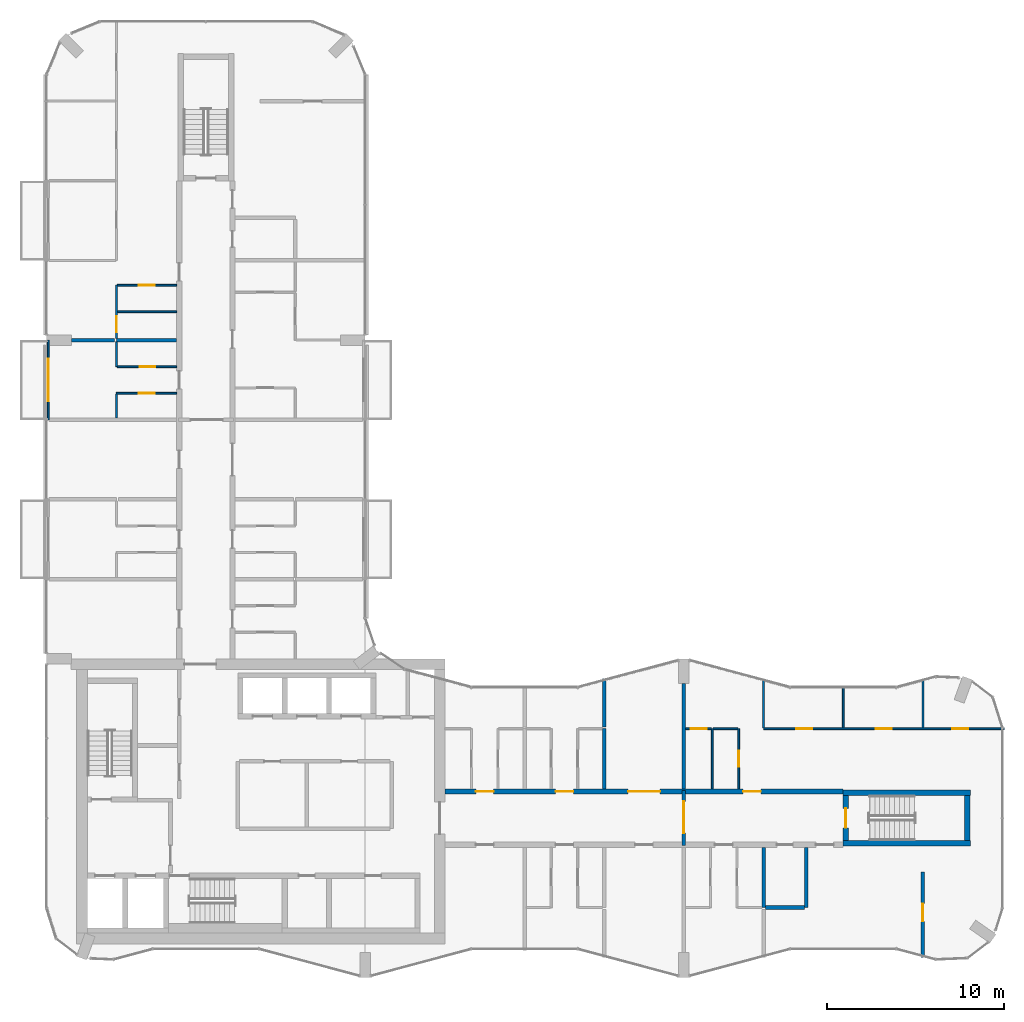
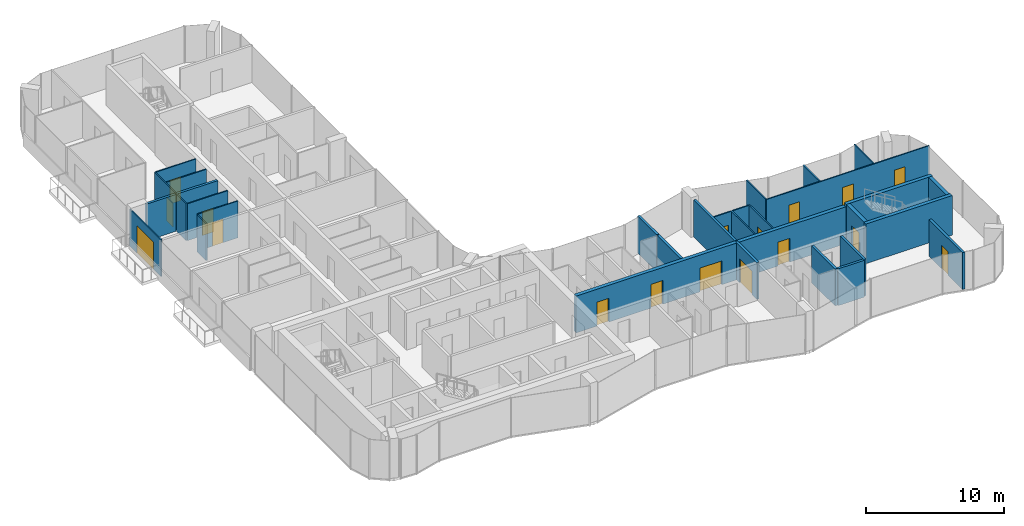
# One storey, part 12 of 16: 31 walls, 17 doors, 17 openings.
"""IFC4 building model written with IfcOpenShell, lengths in metres."""

from ifc_helpers import new_model, si_unit, direction, frame, frame_2d, origin, place, context, subcontext, project, spatial, rectangle, extrude, material, layer, layer_set, type_object, element, fill, save


model = new_model("IFC4")

# Units and contexts
model_context = context("Model", 3, precision=1e-05, world=origin(), true_north=direction((0.0, 1.0)))
body_context = subcontext(model_context, "Body", "Model", "MODEL_VIEW")
ifc_project = project(units=[si_unit("LENGTHUNIT", "METRE"), si_unit("AREAUNIT", "SQUARE_METRE"), si_unit("VOLUMEUNIT", "CUBIC_METRE"), si_unit("PLANEANGLEUNIT", "RADIAN"), si_unit("MASSUNIT", "GRAM", prefix="KILO")], contexts=[model_context])

# Site, building, storey
site_placement = place(None, origin())
site = spatial("IfcSite", under=ifc_project, at=site_placement, CompositionType="ELEMENT")
building_placement = place(site_placement, origin())
building = spatial("IfcBuilding", under=site, at=building_placement, Name="Plateau Cross Towers", CompositionType="ELEMENT")
storey_placement = place(building_placement, frame((0.0, 0.0, 167.39990234375)))
storey = spatial("IfcBuildingStorey", under=building, at=storey_placement, Name="L43", CompositionType="ELEMENT", Elevation=167.39990234375)

# Wall, opening, door
ifc_material_1 = material(Name="Aluminium framed glazing", Category="aluminium")
ifc_layer_1 = layer(ifc_material_1, 0.10009765625)
ifc_layer_set_1 = layer_set([ifc_layer_1], Name="Aluminium framed glazing")
wall_type_1 = type_object("IfcWallType", Name="Balcony screen wall 100", PredefinedType="STANDARD", material=ifc_layer_set_1)
wall_1_placement = place(storey_placement, frame((0.10009765625, 31.5, 0.0), z_axis=(0.0, 0.0, 1.0), x_axis=(0.0, 1.0, 0.0)))
wall_1 = element("IfcWall", 1, at=wall_1_placement, inside=storey, type_object=wall_type_1, Name="Balcony screen wall A-BAL-L43-02", PredefinedType="STANDARD", context=body_context, shape_type="SweptSolid", body=[
    extrude(rectangle(XDim=4.5, YDim=0.10009765625, at=frame_2d((2.25, 0.0))), origin(), (0.0, 0.0, 1.0), 3.25),
])
opening_1_placement = place(wall_1_placement, frame((1.050048828125, 0.0, 0.0)))
opening_1 = element("IfcOpeningElement", 2, at=opening_1_placement, cuts=wall_1, Name="Opening D-B24", PredefinedType="OPENING", context=body_context, shape_type="SweptSolid", body=[
    extrude(rectangle(XDim=2.39990234375, YDim=2.39990234375, at=frame_2d((1.199951171875, 1.199951171875))), frame((0.0, 0.06005859375, 0.0), z_axis=(0.0, -1.0, 0.0), x_axis=(1.0, 0.0, 0.0)), (0.0, 0.0, 1.0), 0.1201171875),
])
ifc_material_2 = material(Name="Aluminium frame, double glazing", Category="aluminium")
door_type_1 = type_object("IfcDoorType", Name="Balcony sliding door 2400", OperationType="NOTDEFINED", PredefinedType="DOOR", material=ifc_material_2)
door_1_placement = place(opening_1_placement, origin())
door_1 = element("IfcDoor", 3, at=door_1_placement, inside=storey, type_object=door_type_1, Name="Balcony door A-BAL-L43-02", OperationType="SINGLE_SWING_LEFT", OverallHeight=2.39990234375, OverallWidth=2.39990234375, PredefinedType="DOOR", context=body_context, shape_type="SweptSolid", body=[
    extrude(rectangle(XDim=2.39990234375, YDim=2.39990234375, at=frame_2d((1.199951171875, 1.199951171875))), frame((0.0, 0.02490234375, 0.0), z_axis=(0.0, -1.0, 0.0), x_axis=(1.0, 0.0, 0.0)), (0.0, 0.0, 1.0), 0.050048828125),
])
fill(opening_1, door_1)

# Wall, openings, doors
ifc_material_3 = material(Name="Concrete C60/75", Category="concrete")
ifc_layer_2 = layer(ifc_material_3, 0.300048828125)
ifc_layer_set_2 = layer_set([ifc_layer_2], Name="Concrete C60/75")
wall_type_2 = type_object("IfcWallType", Name="Corridor wall 300", PredefinedType="SHEAR", material=ifc_layer_set_2)
wall_2_placement = place(storey_placement, frame((22.5, 10.5, 0.0), z_axis=(0.0, 0.0, 1.0), x_axis=(1.0, 0.0, 0.0)))
wall_2 = element("IfcWall", 4, at=wall_2_placement, inside=storey, type_object=wall_type_2, Name="A-cw-S2@L43", PredefinedType="SHEAR", context=body_context, shape_type="SweptSolid", body=[
    extrude(rectangle(XDim=22.5, YDim=0.300048828125, at=frame_2d((11.25, 0.0))), origin(), (0.0, 0.0, 1.0), 3.25),
])
opening_2_placement = place(wall_2_placement, frame((1.75, 0.0, 0.0)))
opening_2 = element("IfcOpeningElement", 5, at=opening_2_placement, cuts=wall_2, Name="Opening 43-07", PredefinedType="OPENING", context=body_context, shape_type="SweptSolid", body=[
    extrude(rectangle(XDim=1.0, YDim=2.10009765625, at=frame_2d((0.5, 1.050048828125))), frame((0.0, 0.159912109375, 0.0), z_axis=(0.0, -1.0, 0.0), x_axis=(1.0, 0.0, 0.0)), (0.0, 0.0, 1.0), 0.320068359375),
])
opening_3_placement = place(wall_2_placement, frame((6.25, 0.0, 0.0)))
opening_3 = element("IfcOpeningElement", 6, at=opening_3_placement, cuts=wall_2, Name="Opening 43-08", PredefinedType="OPENING", context=body_context, shape_type="SweptSolid", body=[
    extrude(rectangle(XDim=1.0, YDim=2.10009765625, at=frame_2d((0.5, 1.050048828125))), frame((0.0, 0.159912109375, 0.0), z_axis=(0.0, -1.0, 0.0), x_axis=(1.0, 0.0, 0.0)), (0.0, 0.0, 1.0), 0.320068359375),
])
opening_4_placement = place(wall_2_placement, frame((10.35009765625, 0.0, 0.0)))
opening_4 = element("IfcOpeningElement", 7, at=opening_4_placement, cuts=wall_2, Name="Opening 43-09", PredefinedType="OPENING", context=body_context, shape_type="SweptSolid", body=[
    extrude(rectangle(XDim=1.800048828125, YDim=2.10009765625, at=frame_2d((0.89990234375, 1.050048828125))), frame((0.0, 0.159912109375, 0.0), z_axis=(0.0, -1.0, 0.0), x_axis=(1.0, 0.0, 0.0)), (0.0, 0.0, 1.0), 0.320068359375),
])
opening_5_placement = place(wall_2_placement, frame((16.85009765625, 0.0, 0.0)))
opening_5 = element("IfcOpeningElement", 8, at=opening_5_placement, cuts=wall_2, Name="Opening 43-10", PredefinedType="OPENING", context=body_context, shape_type="SweptSolid", body=[
    extrude(rectangle(XDim=1.0, YDim=2.10009765625, at=frame_2d((0.5, 1.050048828125))), frame((0.0, 0.159912109375, 0.0), z_axis=(0.0, -1.0, 0.0), x_axis=(1.0, 0.0, 0.0)), (0.0, 0.0, 1.0), 0.320068359375),
])
ifc_material_4 = material(Name="Timber, fire-resisting leaf", Category="wood")
door_type_2 = type_object("IfcDoorType", Name="Flat entrance door 1000", OperationType="NOTDEFINED", PredefinedType="DOOR", material=ifc_material_4)
door_2_placement = place(opening_2_placement, origin())
door_2 = element("IfcDoor", 9, at=door_2_placement, inside=storey, type_object=door_type_2, Name="Door 43-07", OperationType="SINGLE_SWING_LEFT", OverallHeight=2.10009765625, OverallWidth=1.0, PredefinedType="DOOR", context=body_context, shape_type="SweptSolid", body=[
    extrude(rectangle(XDim=1.0, YDim=2.10009765625, at=frame_2d((0.5, 1.050048828125))), frame((0.0, 0.02490234375, 0.0), z_axis=(0.0, -1.0, 0.0), x_axis=(1.0, 0.0, 0.0)), (0.0, 0.0, 1.0), 0.050048828125),
])
fill(opening_2, door_2)
door_3_placement = place(opening_3_placement, origin())
door_3 = element("IfcDoor", 10, at=door_3_placement, inside=storey, type_object=door_type_2, Name="Door 43-08", OperationType="SINGLE_SWING_LEFT", OverallHeight=2.10009765625, OverallWidth=1.0, PredefinedType="DOOR", context=body_context, shape_type="SweptSolid", body=[
    extrude(rectangle(XDim=1.0, YDim=2.10009765625, at=frame_2d((0.5, 1.050048828125))), frame((0.0, 0.02490234375, 0.0), z_axis=(0.0, -1.0, 0.0), x_axis=(1.0, 0.0, 0.0)), (0.0, 0.0, 1.0), 0.050048828125),
])
fill(opening_3, door_3)
door_4_placement = place(opening_5_placement, origin())
door_4 = element("IfcDoor", 11, at=door_4_placement, inside=storey, type_object=door_type_2, Name="Door 43-10", OperationType="SINGLE_SWING_RIGHT", OverallHeight=2.10009765625, OverallWidth=1.0, PredefinedType="DOOR", context=body_context, shape_type="SweptSolid", body=[
    extrude(rectangle(XDim=1.0, YDim=2.10009765625, at=frame_2d((0.5, 1.050048828125))), frame((0.0, 0.02490234375, 0.0), z_axis=(0.0, -1.0, 0.0), x_axis=(1.0, 0.0, 0.0)), (0.0, 0.0, 1.0), 0.050048828125),
])
fill(opening_5, door_4)
ifc_material_5 = material(Name="Timber, fire-resisting leaves", Category="wood")
door_type_3 = type_object("IfcDoorType", Name="Flat floor fire door pair 1800", OperationType="NOTDEFINED", PredefinedType="DOOR", material=ifc_material_5)
door_5_placement = place(opening_4_placement, origin())
door_5 = element("IfcDoor", 12, at=door_5_placement, inside=storey, type_object=door_type_3, Name="Door 43-09", OperationType="SINGLE_SWING_LEFT", OverallHeight=2.10009765625, OverallWidth=1.800048828125, PredefinedType="DOOR", context=body_context, shape_type="SweptSolid", body=[
    extrude(rectangle(XDim=1.800048828125, YDim=2.10009765625, at=frame_2d((0.89990234375, 1.050048828125))), frame((0.0, 0.02490234375, 0.0), z_axis=(0.0, -1.0, 0.0), x_axis=(1.0, 0.0, 0.0)), (0.0, 0.0, 1.0), 0.050048828125),
])
fill(opening_4, door_5)

# Wall, opening, door
ifc_material_6 = material(Name="Gypsum board on steel studs", Category="steel")
ifc_layer_3 = layer(ifc_material_6, 0.10009765625)
ifc_layer_set_3 = layer_set([ifc_layer_3], Name="Gypsum board on steel studs")
wall_type_3 = type_object("IfcWallType", Name="Flat partition 100", PredefinedType="PARTITIONING", material=ifc_layer_set_3)
wall_3_placement = place(storey_placement, frame((37.550048828125, 14.050048828125, 0.0), z_axis=(0.0, 0.0, 1.0), x_axis=(-1.0, 0.0, 0.0)))
wall_3 = element("IfcWall", 13, at=wall_3_placement, inside=storey, type_object=wall_type_3, Name="Partition wall", PredefinedType="PARTITIONING", context=body_context, shape_type="SweptSolid", body=[
    extrude(rectangle(XDim=1.449951171875, YDim=0.10009765625, at=frame_2d((0.72509765625, 0.0))), origin(), (0.0, 0.0, 1.0), 3.25),
])
opening_6_placement = place(wall_3_placement, frame((0.25, 0.0, 0.0)))
opening_6 = element("IfcOpeningElement", 14, at=opening_6_placement, cuts=wall_3, Name="Opening 43-34", PredefinedType="OPENING", context=body_context, shape_type="SweptSolid", body=[
    extrude(rectangle(XDim=0.89990234375, YDim=2.10009765625, at=frame_2d((0.449951171875, 1.050048828125))), frame((0.0, 0.06005859375, 0.0), z_axis=(0.0, -1.0, 0.0), x_axis=(1.0, 0.0, 0.0)), (0.0, 0.0, 1.0), 0.1201171875),
])
ifc_material_7 = material(Name="Timber leaf", Category="wood")
door_type_4 = type_object("IfcDoorType", Name="Flat room door 900", OperationType="NOTDEFINED", PredefinedType="DOOR", material=ifc_material_7)
door_6_placement = place(opening_6_placement, origin())
door_6 = element("IfcDoor", 15, at=door_6_placement, inside=storey, type_object=door_type_4, Name="Door 43-34", OperationType="SINGLE_SWING_LEFT", OverallHeight=2.10009765625, OverallWidth=0.89990234375, PredefinedType="DOOR", context=body_context, shape_type="SweptSolid", body=[
    extrude(rectangle(XDim=0.89990234375, YDim=2.10009765625, at=frame_2d((0.449951171875, 1.050048828125))), frame((0.0, 0.02490234375, 0.0), z_axis=(0.0, -1.0, 0.0), x_axis=(1.0, 0.0, 0.0)), (0.0, 0.0, 1.0), 0.050048828125),
])
fill(opening_6, door_6)

# Wall
wall_4_placement = place(storey_placement, frame((39.050048828125, 14.050048828125, 0.0), z_axis=(0.0, 0.0, 1.0), x_axis=(-1.0, 0.0, 0.0)))
element("IfcWall", 16, at=wall_4_placement, inside=storey, type_object=wall_type_3, Name="Partition wall", PredefinedType="PARTITIONING", context=body_context, shape_type="SweptSolid", body=[
    extrude(rectangle(XDim=1.400146484375, YDim=0.10009765625, at=frame_2d((0.7001953125, 0.0))), origin(), (0.0, 0.0, 1.0), 3.25),
])

# Wall, openings, doors
wall_5_placement = place(storey_placement, frame((40.5, 14.050048828125, 0.0), z_axis=(0.0, 0.0, 1.0), x_axis=(1.0, 0.0, 0.0)))
wall_5 = element("IfcWall", 17, at=wall_5_placement, inside=storey, type_object=wall_type_3, Name="Partition wall", PredefinedType="PARTITIONING", context=body_context, shape_type="SweptSolid", body=[
    extrude(rectangle(XDim=13.580078125, YDim=0.10009765625, at=frame_2d((6.7900390625, 0.0))), origin(), (0.0, 0.0, 1.0), 3.25),
])
opening_7_placement = place(wall_5_placement, frame((1.85009765625, 0.0, 0.0)))
opening_7 = element("IfcOpeningElement", 18, at=opening_7_placement, cuts=wall_5, Name="Opening 43-36", PredefinedType="OPENING", context=body_context, shape_type="SweptSolid", body=[
    extrude(rectangle(XDim=0.89990234375, YDim=2.10009765625, at=frame_2d((0.449951171875, 1.050048828125))), frame((0.0, 0.06005859375, 0.0), z_axis=(0.0, -1.0, 0.0), x_axis=(1.0, 0.0, 0.0)), (0.0, 0.0, 1.0), 0.1201171875),
])
opening_8_placement = place(wall_5_placement, frame((6.35009765625, 0.0, 0.0)))
opening_8 = element("IfcOpeningElement", 19, at=opening_8_placement, cuts=wall_5, Name="Opening 43-37", PredefinedType="OPENING", context=body_context, shape_type="SweptSolid", body=[
    extrude(rectangle(XDim=0.89990234375, YDim=2.10009765625, at=frame_2d((0.449951171875, 1.050048828125))), frame((0.0, 0.06005859375, 0.0), z_axis=(0.0, -1.0, 0.0), x_axis=(1.0, 0.0, 0.0)), (0.0, 0.0, 1.0), 0.1201171875),
])
opening_9_placement = place(wall_5_placement, frame((10.64990234375, 0.0, 0.0)))
opening_9 = element("IfcOpeningElement", 20, at=opening_9_placement, cuts=wall_5, Name="Opening 43-38", PredefinedType="OPENING", context=body_context, shape_type="SweptSolid", body=[
    extrude(rectangle(XDim=0.89990234375, YDim=2.10009765625, at=frame_2d((0.449951171875, 1.050048828125))), frame((0.0, 0.06005859375, 0.0), z_axis=(0.0, -1.0, 0.0), x_axis=(1.0, 0.0, 0.0)), (0.0, 0.0, 1.0), 0.1201171875),
])
door_7_placement = place(opening_7_placement, origin())
door_7 = element("IfcDoor", 21, at=door_7_placement, inside=storey, type_object=door_type_4, Name="Door 43-36", OperationType="SINGLE_SWING_LEFT", OverallHeight=2.10009765625, OverallWidth=0.89990234375, PredefinedType="DOOR", context=body_context, shape_type="SweptSolid", body=[
    extrude(rectangle(XDim=0.89990234375, YDim=2.10009765625, at=frame_2d((0.449951171875, 1.050048828125))), frame((0.0, 0.02490234375, 0.0), z_axis=(0.0, -1.0, 0.0), x_axis=(1.0, 0.0, 0.0)), (0.0, 0.0, 1.0), 0.050048828125),
])
fill(opening_7, door_7)
door_8_placement = place(opening_8_placement, origin())
door_8 = element("IfcDoor", 22, at=door_8_placement, inside=storey, type_object=door_type_4, Name="Door 43-37", OperationType="SINGLE_SWING_RIGHT", OverallHeight=2.10009765625, OverallWidth=0.89990234375, PredefinedType="DOOR", context=body_context, shape_type="SweptSolid", body=[
    extrude(rectangle(XDim=0.89990234375, YDim=2.10009765625, at=frame_2d((0.449951171875, 1.050048828125))), frame((0.0, 0.02490234375, 0.0), z_axis=(0.0, -1.0, 0.0), x_axis=(1.0, 0.0, 0.0)), (0.0, 0.0, 1.0), 0.050048828125),
])
fill(opening_8, door_8)
door_9_placement = place(opening_9_placement, origin())
door_9 = element("IfcDoor", 23, at=door_9_placement, inside=storey, type_object=door_type_4, Name="Door 43-38", OperationType="SINGLE_SWING_RIGHT", OverallHeight=2.10009765625, OverallWidth=0.89990234375, PredefinedType="DOOR", context=body_context, shape_type="SweptSolid", body=[
    extrude(rectangle(XDim=0.89990234375, YDim=2.10009765625, at=frame_2d((0.449951171875, 1.050048828125))), frame((0.0, 0.02490234375, 0.0), z_axis=(0.0, -1.0, 0.0), x_axis=(1.0, 0.0, 0.0)), (0.0, 0.0, 1.0), 0.050048828125),
])
fill(opening_9, door_9)

# Wall, opening, door
wall_6_placement = place(storey_placement, frame((7.35009765625, 33.0, 0.0), z_axis=(0.0, 0.0, 1.0), x_axis=(-1.0, 0.0, 0.0)))
wall_6 = element("IfcWall", 24, at=wall_6_placement, inside=storey, type_object=wall_type_3, Name="Partition wall", PredefinedType="PARTITIONING", context=body_context, shape_type="SweptSolid", body=[
    extrude(rectangle(XDim=3.400146484375, YDim=0.10009765625, at=frame_2d((1.7001953125, 0.0))), origin(), (0.0, 0.0, 1.0), 3.25),
])
opening_10_placement = place(wall_6_placement, frame((1.25, 0.0, 0.0)))
opening_10 = element("IfcOpeningElement", 25, at=opening_10_placement, cuts=wall_6, Name="Opening 43-41", PredefinedType="OPENING", context=body_context, shape_type="SweptSolid", body=[
    extrude(rectangle(XDim=0.89990234375, YDim=2.10009765625, at=frame_2d((0.449951171875, 1.050048828125))), frame((0.0, 0.06005859375, 0.0), z_axis=(0.0, -1.0, 0.0), x_axis=(1.0, 0.0, 0.0)), (0.0, 0.0, 1.0), 0.1201171875),
])
door_10_placement = place(opening_10_placement, origin())
door_10 = element("IfcDoor", 26, at=door_10_placement, inside=storey, type_object=door_type_4, Name="Door 43-41", OperationType="SINGLE_SWING_RIGHT", OverallHeight=2.10009765625, OverallWidth=0.89990234375, PredefinedType="DOOR", context=body_context, shape_type="SweptSolid", body=[
    extrude(rectangle(XDim=0.89990234375, YDim=2.10009765625, at=frame_2d((0.449951171875, 1.050048828125))), frame((0.0, 0.02490234375, 0.0), z_axis=(0.0, -1.0, 0.0), x_axis=(1.0, 0.0, 0.0)), (0.0, 0.0, 1.0), 0.050048828125),
])
fill(opening_10, door_10)

wall_7_placement = place(storey_placement, frame((4.0, 34.5, 0.0), z_axis=(0.0, 0.0, 1.0), x_axis=(1.0, 0.0, 0.0)))
wall_7 = element("IfcWall", 27, at=wall_7_placement, inside=storey, type_object=wall_type_3, Name="Partition wall", PredefinedType="PARTITIONING", context=body_context, shape_type="SweptSolid", body=[
    extrude(rectangle(XDim=3.35009765625, YDim=0.10009765625, at=frame_2d((1.675048828125, 0.0))), origin(), (0.0, 0.0, 1.0), 3.25),
])
opening_11_placement = place(wall_7_placement, frame((1.25, 0.0, 0.0)))
opening_11 = element("IfcOpeningElement", 28, at=opening_11_placement, cuts=wall_7, Name="Opening 43-42", PredefinedType="OPENING", context=body_context, shape_type="SweptSolid", body=[
    extrude(rectangle(XDim=0.89990234375, YDim=2.10009765625, at=frame_2d((0.449951171875, 1.050048828125))), frame((0.0, 0.06005859375, 0.0), z_axis=(0.0, -1.0, 0.0), x_axis=(1.0, 0.0, 0.0)), (0.0, 0.0, 1.0), 0.1201171875),
])
door_11_placement = place(opening_11_placement, origin())
door_11 = element("IfcDoor", 29, at=door_11_placement, inside=storey, type_object=door_type_4, Name="Door 43-42", OperationType="SINGLE_SWING_RIGHT", OverallHeight=2.10009765625, OverallWidth=0.89990234375, PredefinedType="DOOR", context=body_context, shape_type="SweptSolid", body=[
    extrude(rectangle(XDim=0.89990234375, YDim=2.10009765625, at=frame_2d((0.449951171875, 1.050048828125))), frame((0.0, 0.02490234375, 0.0), z_axis=(0.0, -1.0, 0.0), x_axis=(1.0, 0.0, 0.0)), (0.0, 0.0, 1.0), 0.050048828125),
])
fill(opening_11, door_11)

# Wall
wall_8_placement = place(storey_placement, frame((7.35009765625, 37.60009765625, 0.0), z_axis=(0.0, 0.0, 1.0), x_axis=(-1.0, 0.0, 0.0)))
element("IfcWall", 30, at=wall_8_placement, inside=storey, type_object=wall_type_3, Name="Partition wall", PredefinedType="PARTITIONING", context=body_context, shape_type="SweptSolid", body=[
    extrude(rectangle(XDim=3.35009765625, YDim=0.10009765625, at=frame_2d((1.675048828125, 0.0))), origin(), (0.0, 0.0, 1.0), 3.25),
])

# Wall, opening, door
wall_9_placement = place(storey_placement, frame((7.35009765625, 39.10009765625, 0.0), z_axis=(0.0, 0.0, 1.0), x_axis=(-1.0, 0.0, 0.0)))
wall_9 = element("IfcWall", 31, at=wall_9_placement, inside=storey, type_object=wall_type_3, Name="Partition wall", PredefinedType="PARTITIONING", context=body_context, shape_type="SweptSolid", body=[
    extrude(rectangle(XDim=3.35009765625, YDim=0.10009765625, at=frame_2d((1.675048828125, 0.0))), origin(), (0.0, 0.0, 1.0), 3.25),
])
opening_12_placement = place(wall_9_placement, frame((1.25, 0.0, 0.0)))
opening_12 = element("IfcOpeningElement", 32, at=opening_12_placement, cuts=wall_9, Name="Opening 43-44", PredefinedType="OPENING", context=body_context, shape_type="SweptSolid", body=[
    extrude(rectangle(XDim=0.89990234375, YDim=2.10009765625, at=frame_2d((0.449951171875, 1.050048828125))), frame((0.0, 0.06005859375, 0.0), z_axis=(0.0, -1.0, 0.0), x_axis=(1.0, 0.0, 0.0)), (0.0, 0.0, 1.0), 0.1201171875),
])
door_12_placement = place(opening_12_placement, origin())
door_12 = element("IfcDoor", 33, at=door_12_placement, inside=storey, type_object=door_type_4, Name="Door 43-44", OperationType="SINGLE_SWING_RIGHT", OverallHeight=2.10009765625, OverallWidth=0.89990234375, PredefinedType="DOOR", context=body_context, shape_type="SweptSolid", body=[
    extrude(rectangle(XDim=0.89990234375, YDim=2.10009765625, at=frame_2d((0.449951171875, 1.050048828125))), frame((0.0, 0.02490234375, 0.0), z_axis=(0.0, -1.0, 0.0), x_axis=(1.0, 0.0, 0.0)), (0.0, 0.0, 1.0), 0.050048828125),
])
fill(opening_12, door_12)

# Walls
wall_10_placement = place(storey_placement, frame((3.949951171875, 32.949951171875, 0.0), z_axis=(0.0, 0.0, 1.0), x_axis=(0.0, -1.0, 0.0)))
element("IfcWall", 34, at=wall_10_placement, inside=storey, type_object=wall_type_3, Name="Partition wall", PredefinedType="PARTITIONING", context=body_context, shape_type="SweptSolid", body=[
    extrude(rectangle(XDim=1.349853515625, YDim=0.10009765625, at=frame_2d((0.6748046875, 0.0))), origin(), (0.0, 0.0, 1.0), 3.25),
])
wall_11_placement = place(storey_placement, frame((3.949951171875, 35.89990234375, 0.0), z_axis=(0.0, 0.0, 1.0), x_axis=(0.0, -1.0, 0.0)))
element("IfcWall", 35, at=wall_11_placement, inside=storey, type_object=wall_type_3, Name="Partition wall", PredefinedType="PARTITIONING", context=body_context, shape_type="SweptSolid", body=[
    extrude(rectangle(XDim=1.39990234375, YDim=0.10009765625, at=frame_2d((0.699951171875, 0.0))), origin(), (0.0, 0.0, 1.0), 3.25),
])

# Wall, opening, door
wall_12_placement = place(storey_placement, frame((3.949951171875, 39.10009765625, 0.0), z_axis=(0.0, 0.0, 1.0), x_axis=(0.0, -1.0, 0.0)))
wall_12 = element("IfcWall", 36, at=wall_12_placement, inside=storey, type_object=wall_type_3, Name="Partition wall", PredefinedType="PARTITIONING", context=body_context, shape_type="SweptSolid", body=[
    extrude(rectangle(XDim=3.0, YDim=0.10009765625, at=frame_2d((1.5, 0.0))), origin(), (0.0, 0.0, 1.0), 3.25),
])
opening_13_placement = place(wall_12_placement, frame((1.75, 0.0, 0.0)))
opening_13 = element("IfcOpeningElement", 37, at=opening_13_placement, cuts=wall_12, Name="Opening 43-43", PredefinedType="OPENING", context=body_context, shape_type="SweptSolid", body=[
    extrude(rectangle(XDim=0.89990234375, YDim=2.10009765625, at=frame_2d((0.449951171875, 1.050048828125))), frame((0.0, 0.06005859375, 0.0), z_axis=(0.0, -1.0, 0.0), x_axis=(1.0, 0.0, 0.0)), (0.0, 0.0, 1.0), 0.1201171875),
])
door_13_placement = place(opening_13_placement, origin())
door_13 = element("IfcDoor", 38, at=door_13_placement, inside=storey, type_object=door_type_4, Name="Door 43-43", OperationType="SINGLE_SWING_RIGHT", OverallHeight=2.10009765625, OverallWidth=0.89990234375, PredefinedType="DOOR", context=body_context, shape_type="SweptSolid", body=[
    extrude(rectangle(XDim=0.89990234375, YDim=2.10009765625, at=frame_2d((0.449951171875, 1.050048828125))), frame((0.0, 0.02490234375, 0.0), z_axis=(0.0, -1.0, 0.0), x_axis=(1.0, 0.0, 0.0)), (0.0, 0.0, 1.0), 0.050048828125),
])
fill(opening_13, door_13)

# Wall
wall_13_placement = place(storey_placement, frame((37.60009765625, 10.64990234375, 0.0), z_axis=(0.0, 0.0, 1.0), x_axis=(0.0, 1.0, 0.0)))
element("IfcWall", 39, at=wall_13_placement, inside=storey, type_object=wall_type_3, Name="Partition wall", PredefinedType="PARTITIONING", context=body_context, shape_type="SweptSolid", body=[
    extrude(rectangle(XDim=3.400146484375, YDim=0.10009765625, at=frame_2d((1.7001953125, 0.0))), origin(), (0.0, 0.0, 1.0), 3.25),
])

# Wall, opening, door
wall_14_placement = place(storey_placement, frame((39.10009765625, 10.64990234375, 0.0), z_axis=(0.0, 0.0, 1.0), x_axis=(0.0, 1.0, 0.0)))
wall_14 = element("IfcWall", 40, at=wall_14_placement, inside=storey, type_object=wall_type_3, Name="Partition wall", PredefinedType="PARTITIONING", context=body_context, shape_type="SweptSolid", body=[
    extrude(rectangle(XDim=3.400146484375, YDim=0.10009765625, at=frame_2d((1.7001953125, 0.0))), origin(), (0.0, 0.0, 1.0), 3.25),
])
opening_14_placement = place(wall_14_placement, frame((1.25, 0.0, 0.0)))
opening_14 = element("IfcOpeningElement", 41, at=opening_14_placement, cuts=wall_14, Name="Opening 43-35", PredefinedType="OPENING", context=body_context, shape_type="SweptSolid", body=[
    extrude(rectangle(XDim=0.89990234375, YDim=2.10009765625, at=frame_2d((0.449951171875, 1.050048828125))), frame((0.0, 0.06005859375, 0.0), z_axis=(0.0, -1.0, 0.0), x_axis=(1.0, 0.0, 0.0)), (0.0, 0.0, 1.0), 0.1201171875),
])
door_14_placement = place(opening_14_placement, origin())
door_14 = element("IfcDoor", 42, at=door_14_placement, inside=storey, type_object=door_type_4, Name="Door 43-35", OperationType="SINGLE_SWING_LEFT", OverallHeight=2.10009765625, OverallWidth=0.89990234375, PredefinedType="DOOR", context=body_context, shape_type="SweptSolid", body=[
    extrude(rectangle(XDim=0.89990234375, YDim=2.10009765625, at=frame_2d((0.449951171875, 1.050048828125))), frame((0.0, 0.02490234375, 0.0), z_axis=(0.0, -1.0, 0.0), x_axis=(1.0, 0.0, 0.0)), (0.0, 0.0, 1.0), 0.050048828125),
])
fill(opening_14, door_14)

# Walls
wall_15_placement = place(storey_placement, frame((40.5, 16.877685546875, 0.0), z_axis=(0.0, 0.0, 1.0), x_axis=(0.0, -1.0, 0.0)))
element("IfcWall", 43, at=wall_15_placement, inside=storey, type_object=wall_type_3, Name="Partition wall", PredefinedType="PARTITIONING", context=body_context, shape_type="SweptSolid", body=[
    extrude(rectangle(XDim=2.777587890625, YDim=0.10009765625, at=frame_2d((1.388671875, 0.0))), origin(), (0.0, 0.0, 1.0), 3.25),
])
wall_16_placement = place(storey_placement, frame((45.0, 14.10009765625, 0.0), z_axis=(0.0, 0.0, 1.0), x_axis=(0.0, 1.0, 0.0)))
element("IfcWall", 44, at=wall_16_placement, inside=storey, type_object=wall_type_3, Name="Partition wall", PredefinedType="PARTITIONING", context=body_context, shape_type="SweptSolid", body=[
    extrude(rectangle(XDim=2.373046875, YDim=0.10009765625, at=frame_2d((1.1865234375, 0.0))), origin(), (0.0, 0.0, 1.0), 3.25),
])
wall_17_placement = place(storey_placement, frame((49.5, 14.10009765625, 0.0), z_axis=(0.0, 0.0, 1.0), x_axis=(0.0, 1.0, 0.0)))
element("IfcWall", 45, at=wall_17_placement, inside=storey, type_object=wall_type_3, Name="Partition wall", PredefinedType="PARTITIONING", context=body_context, shape_type="SweptSolid", body=[
    extrude(rectangle(XDim=2.777587890625, YDim=0.10009765625, at=frame_2d((1.388671875, 0.0))), origin(), (0.0, 0.0, 1.0), 3.25),
])
ifc_material_8 = material(Name="Gypsum board on steel studs, two layers each side", Category="steel")
ifc_layer_4 = layer(ifc_material_8, 0.199951171875)
ifc_layer_set_4 = layer_set([ifc_layer_4], Name="Gypsum board on steel studs, two layers each side")
wall_type_4 = type_object("IfcWallType", Name="Flat party wall 200", PredefinedType="PARTITIONING", material=ifc_layer_set_4)
wall_18_placement = place(storey_placement, frame((40.60009765625, 3.949951171875, 0.0), z_axis=(0.0, 0.0, 1.0), x_axis=(1.0, 0.0, 0.0)))
element("IfcWall", 46, at=wall_18_placement, inside=storey, type_object=wall_type_4, Name="Party wall", PredefinedType="PARTITIONING", context=body_context, shape_type="SweptSolid", body=[
    extrude(rectangle(XDim=2.199951171875, YDim=0.199951171875, at=frame_2d((1.10009765625, 0.0))), origin(), (0.0, 0.0, 1.0), 3.25),
])
wall_19_placement = place(storey_placement, frame((7.35009765625, 36.0, 0.0), z_axis=(0.0, 0.0, 1.0), x_axis=(-1.0, 0.0, 0.0)))
element("IfcWall", 47, at=wall_19_placement, inside=storey, type_object=wall_type_4, Name="Party wall", PredefinedType="PARTITIONING", context=body_context, shape_type="SweptSolid", body=[
    extrude(rectangle(XDim=3.400146484375, YDim=0.199951171875, at=frame_2d((1.7001953125, 0.0))), origin(), (0.0, 0.0, 1.0), 3.25),
])
wall_20_placement = place(storey_placement, frame((1.39990234375, 36.0, 0.0), z_axis=(0.0, 0.0, 1.0), x_axis=(1.0, 0.0, 0.0)))
element("IfcWall", 48, at=wall_20_placement, inside=storey, type_object=wall_type_4, Name="Party wall", PredefinedType="PARTITIONING", context=body_context, shape_type="SweptSolid", body=[
    extrude(rectangle(XDim=2.4501953125, YDim=0.199951171875, at=frame_2d((1.22509765625, 0.0))), origin(), (0.0, 0.0, 1.0), 3.25),
])
wall_21_placement = place(storey_placement, frame((31.5, 16.877685546875, 0.0), z_axis=(0.0, 0.0, 1.0), x_axis=(0.0, -1.0, 0.0)))
element("IfcWall", 49, at=wall_21_placement, inside=storey, type_object=wall_type_4, Name="Party wall", PredefinedType="PARTITIONING", context=body_context, shape_type="SweptSolid", body=[
    extrude(rectangle(XDim=2.727783203125, YDim=0.199951171875, at=frame_2d((1.36376953125, 0.0))), origin(), (0.0, 0.0, 1.0), 3.25),
])
wall_22_placement = place(storey_placement, frame((31.5, 10.64990234375, 0.0), z_axis=(0.0, 0.0, 1.0), x_axis=(0.0, 1.0, 0.0)))
element("IfcWall", 50, at=wall_22_placement, inside=storey, type_object=wall_type_4, Name="Party wall", PredefinedType="PARTITIONING", context=body_context, shape_type="SweptSolid", body=[
    extrude(rectangle(XDim=3.400146484375, YDim=0.199951171875, at=frame_2d((1.7001953125, 0.0))), origin(), (0.0, 0.0, 1.0), 3.25),
])
wall_23_placement = place(storey_placement, frame((36.0, 10.64990234375, 0.0), z_axis=(0.0, 0.0, 1.0), x_axis=(0.0, 1.0, 0.0)))
element("IfcWall", 51, at=wall_23_placement, inside=storey, type_object=wall_type_4, Name="Party wall", PredefinedType="PARTITIONING", context=body_context, shape_type="SweptSolid", body=[
    extrude(rectangle(XDim=5.9501953125, YDim=0.199951171875, at=frame_2d((2.97509765625, 0.0))), origin(), (0.0, 0.0, 1.0), 3.25),
])
for number, where, z_axis, x_axis, name in (
    (52, (40.5, 3.949951171875, 0.0), (0.0, 0.0, 1.0), (0.0, 1.0, 0.0), "Party wall"),
    (53, (42.89990234375, 3.949951171875, 0.0), (0.0, 0.0, 1.0), (0.0, 1.0, 0.0), "Party wall"),
):
    element("IfcWall", number, at=place(storey_placement, frame(where, z_axis=z_axis, x_axis=x_axis)), inside=storey, type_object=wall_type_4, Name=name, PredefinedType="PARTITIONING", context=body_context, shape_type="SweptSolid", body=[
        extrude(rectangle(XDim=3.400146484375, YDim=0.199951171875, at=frame_2d((1.7001953125, 0.0))), origin(), (0.0, 0.0, 1.0), 3.25),
    ])

# Wall, opening, door
wall_24_placement = place(storey_placement, frame((49.5, 1.122314453125, 0.0), z_axis=(0.0, 0.0, 1.0), x_axis=(0.0, 1.0, 0.0)))
wall_24 = element("IfcWall", 54, at=wall_24_placement, inside=storey, type_object=wall_type_4, Name="Party wall", PredefinedType="PARTITIONING", context=body_context, shape_type="SweptSolid", body=[
    extrude(rectangle(XDim=4.82763671875, YDim=0.199951171875, at=frame_2d((2.413818359375, 0.0))), origin(), (0.0, 0.0, 1.0), 3.25),
])
opening_15_placement = place(wall_24_placement, frame((2.050048828125, 0.0, 0.0)))
opening_15 = element("IfcOpeningElement", 55, at=opening_15_placement, cuts=wall_24, Name="Opening 43-24", PredefinedType="OPENING", context=body_context, shape_type="SweptSolid", body=[
    extrude(rectangle(XDim=1.0, YDim=2.10009765625, at=frame_2d((0.5, 1.050048828125))), frame((0.0, 0.10986328125, 0.0), z_axis=(0.0, -1.0, 0.0), x_axis=(1.0, 0.0, 0.0)), (0.0, 0.0, 1.0), 0.219970703125),
])
door_15_placement = place(opening_15_placement, origin())
door_15 = element("IfcDoor", 56, at=door_15_placement, inside=storey, type_object=door_type_2, Name="Door 43-24", OperationType="SINGLE_SWING_RIGHT", OverallHeight=2.10009765625, OverallWidth=1.0, PredefinedType="DOOR", context=body_context, shape_type="SweptSolid", body=[
    extrude(rectangle(XDim=1.0, YDim=2.10009765625, at=frame_2d((0.5, 1.050048828125))), frame((0.0, 0.02490234375, 0.0), z_axis=(0.0, -1.0, 0.0), x_axis=(1.0, 0.0, 0.0)), (0.0, 0.0, 1.0), 0.050048828125),
])
fill(opening_15, door_15)

wall_25_placement = place(storey_placement, frame((36.0, 7.449951171875, 0.0), z_axis=(0.0, 0.0, 1.0), x_axis=(0.0, 1.0, 0.0)))
wall_25 = element("IfcWall", 57, at=wall_25_placement, inside=storey, type_object=wall_type_4, Name="Party wall", PredefinedType="PARTITIONING", context=body_context, shape_type="SweptSolid", body=[
    extrude(rectangle(XDim=3.10009765625, YDim=0.199951171875, at=frame_2d((1.550048828125, 0.0))), origin(), (0.0, 0.0, 1.0), 3.25),
])
opening_16_placement = place(wall_25_placement, frame((0.699951171875, 0.0, 0.0)))
opening_16 = element("IfcOpeningElement", 58, at=opening_16_placement, cuts=wall_25, Name="Opening 43-22", PredefinedType="OPENING", context=body_context, shape_type="SweptSolid", body=[
    extrude(rectangle(XDim=1.800048828125, YDim=2.10009765625, at=frame_2d((0.89990234375, 1.050048828125))), frame((0.0, 0.10986328125, 0.0), z_axis=(0.0, -1.0, 0.0), x_axis=(1.0, 0.0, 0.0)), (0.0, 0.0, 1.0), 0.219970703125),
])
door_16_placement = place(opening_16_placement, origin())
door_16 = element("IfcDoor", 59, at=door_16_placement, inside=storey, type_object=door_type_3, Name="Door 43-22", OperationType="SINGLE_SWING_RIGHT", OverallHeight=2.10009765625, OverallWidth=1.800048828125, PredefinedType="DOOR", context=body_context, shape_type="SweptSolid", body=[
    extrude(rectangle(XDim=1.800048828125, YDim=2.10009765625, at=frame_2d((0.89990234375, 1.050048828125))), frame((0.0, 0.02490234375, 0.0), z_axis=(0.0, -1.0, 0.0), x_axis=(1.0, 0.0, 0.0)), (0.0, 0.0, 1.0), 0.050048828125),
])
fill(opening_16, door_16)

ifc_layer_5 = layer(ifc_material_3, 0.300048828125)
ifc_layer_set_5 = layer_set([ifc_layer_5], Name="Concrete C60/75")
wall_type_5 = type_object("IfcWallType", Name="Stair tower wall 300", PredefinedType="SHEAR", material=ifc_layer_set_5)
wall_26_placement = place(storey_placement, frame((45.14990234375, 7.72509765625, 0.0), z_axis=(0.0, 0.0, 1.0), x_axis=(0.0, 1.0, 0.0)))
wall_26 = element("IfcWall", 60, at=wall_26_placement, inside=storey, type_object=wall_type_5, Name="A-end-E-W@L43", PredefinedType="SHEAR", context=body_context, shape_type="SweptSolid", body=[
    extrude(rectangle(XDim=2.5498046875, YDim=0.300048828125, at=frame_2d((1.27490234375, 0.0))), origin(), (0.0, 0.0, 1.0), 3.5),
])
opening_17_placement = place(wall_26_placement, frame((0.72509765625, 0.0, 0.0)))
opening_17 = element("IfcOpeningElement", 61, at=opening_17_placement, cuts=wall_26, Name="Opening SD", PredefinedType="OPENING", context=body_context, shape_type="SweptSolid", body=[
    extrude(rectangle(XDim=1.10009765625, YDim=2.10009765625, at=frame_2d((0.550048828125, 1.050048828125))), frame((0.0, 0.159912109375, 0.0), z_axis=(0.0, -1.0, 0.0), x_axis=(1.0, 0.0, 0.0)), (0.0, 0.0, 1.0), 0.320068359375),
])
ifc_material_9 = material(Name="Steel, fire-resisting leaf", Category="steel")
door_type_5 = type_object("IfcDoorType", Name="Stair door 1100", OperationType="NOTDEFINED", PredefinedType="DOOR", material=ifc_material_9)
door_17_placement = place(opening_17_placement, origin())
door_17 = element("IfcDoor", 62, at=door_17_placement, inside=storey, type_object=door_type_5, Name="Stair door SD", OperationType="SINGLE_SWING_LEFT", OverallHeight=2.10009765625, OverallWidth=1.10009765625, PredefinedType="DOOR", context=body_context, shape_type="SweptSolid", body=[
    extrude(rectangle(XDim=1.10009765625, YDim=2.10009765625, at=frame_2d((0.550048828125, 1.050048828125))), frame((0.0, 0.02490234375, 0.0), z_axis=(0.0, -1.0, 0.0), x_axis=(1.0, 0.0, 0.0)), (0.0, 0.0, 1.0), 0.050048828125),
])
fill(opening_17, door_17)

# Walls
wall_27_placement = place(storey_placement, frame((52.0, 7.72509765625, 0.0), z_axis=(0.0, 0.0, 1.0), x_axis=(0.0, 1.0, 0.0)))
element("IfcWall", 63, at=wall_27_placement, inside=storey, type_object=wall_type_5, Name="A-end-E-E@L43", PredefinedType="SHEAR", context=body_context, shape_type="SweptSolid", body=[
    extrude(rectangle(XDim=2.5498046875, YDim=0.300048828125, at=frame_2d((1.27490234375, 0.0))), origin(), (0.0, 0.0, 1.0), 3.5),
])
for number, where, z_axis, x_axis, name in (
    (64, (45.0, 7.574951171875, 0.0), (0.0, 0.0, 1.0), (1.0, 0.0, 0.0), "A-end-E-S@L43"),
    (65, (45.0, 10.425048828125, 0.0), (0.0, 0.0, 1.0), (1.0, 0.0, 0.0), "A-end-E-N@L43"),
):
    element("IfcWall", number, at=place(storey_placement, frame(where, z_axis=z_axis, x_axis=x_axis)), inside=storey, type_object=wall_type_5, Name=name, PredefinedType="SHEAR", context=body_context, shape_type="SweptSolid", body=[
        extrude(rectangle(XDim=7.199951171875, YDim=0.300048828125, at=frame_2d((3.60009765625, 0.0))), origin(), (0.0, 0.0, 1.0), 3.5),
    ])

save(model, "model.ifc")
